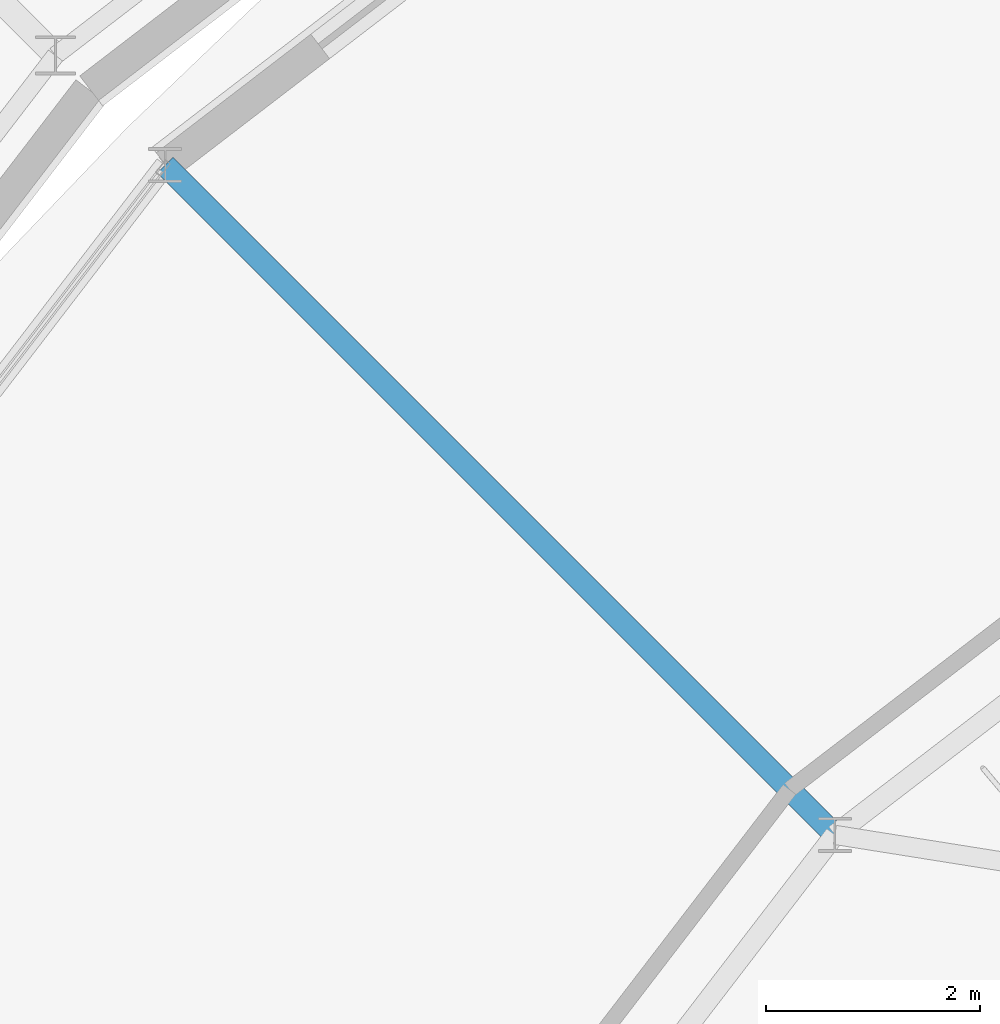
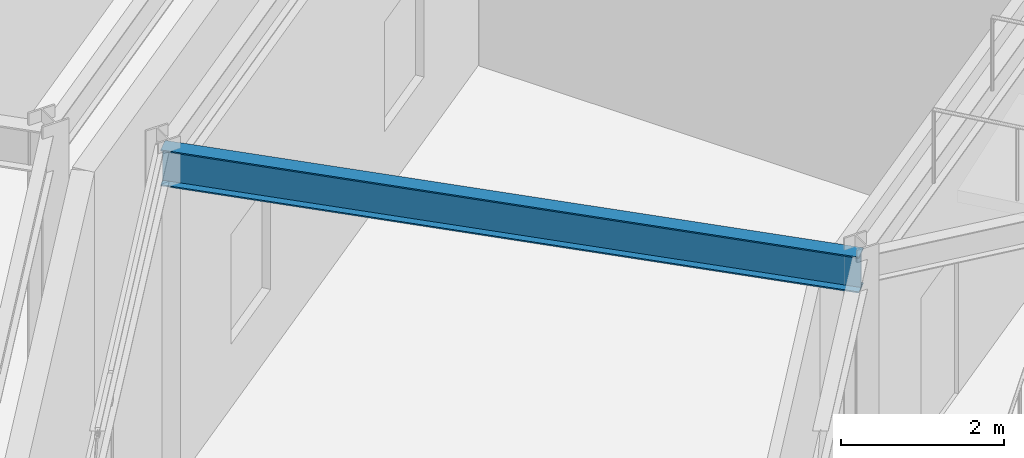
# One storey, part 68 of 168: 1 beam.
"""IFC4 building model written with IfcOpenShell, lengths in metres."""

from ifc_helpers import new_model, si_unit, direction, frame, origin, origin_2d, place, context, subcontext, project, spatial, i_section, extrude, material, material_profile, profile_set, type_object, element, save


model = new_model("IFC4")

# Units and contexts
model_context = context("Model", 3, precision=1e-05, world=origin(), true_north=direction((0.0, 1.0)))
body_context = subcontext(model_context, "Body", "Model", "MODEL_VIEW")
ifc_project = project(units=[si_unit("LENGTHUNIT", "METRE"), si_unit("AREAUNIT", "SQUARE_METRE"), si_unit("VOLUMEUNIT", "CUBIC_METRE"), si_unit("PLANEANGLEUNIT", "RADIAN"), si_unit("MASSUNIT", "GRAM", prefix="KILO")], contexts=[model_context])

# Site, building, storey
site_placement = place(None, origin())
site = spatial("IfcSite", under=ifc_project, at=site_placement, CompositionType="ELEMENT")
building_placement = place(site_placement, origin())
building = spatial("IfcBuilding", under=site, at=building_placement, Name="Almandine Court Research Institute", CompositionType="ELEMENT")
storey_placement = place(building_placement, origin())
storey = spatial("IfcBuildingStorey", under=building, at=storey_placement, Name="L00", CompositionType="ELEMENT", Elevation=0.0)

# Beam
ifc_material = material(Name="Steel ASTM A992 Grade 50", Category="steel")
ifc_material_profile = material_profile(ifc_material, i_section(OverallWidth=0.2109375, OverallDepth=0.5390625, WebThickness=0.011962890625, FlangeThickness=0.01904296875, at=origin_2d()), Name="W530x109")
ifc_profile_set = profile_set([ifc_material_profile], Name="Steel ASTM A992 Grade 50")
beam_type = type_object("IfcBeamType", Name="Beam-G-04", PredefinedType="BEAM", material=ifc_profile_set)
beam_placement = place(storey_placement, frame((66.635009765625, 76.364990234375, 4.801025390625), z_axis=(-0.707106781187, 0.707106781187, 0.0), x_axis=(-0.707106781187, -0.707106781187, 0.0)))
element("IfcBeam", 1, at=beam_placement, inside=storey, type_object=beam_type, Name="L00 Atrium Gallery Radial Girder", PredefinedType="BEAM", context=body_context, shape_type="SweptSolid", body=[
    extrude(i_section(OverallWidth=0.2109375, OverallDepth=0.5390625, WebThickness=0.011962890625, FlangeThickness=0.01904296875, at=origin_2d()), origin(), (0.0, 0.0, 1.0), 8.850341796875),
])

save(model, "model.ifc")
